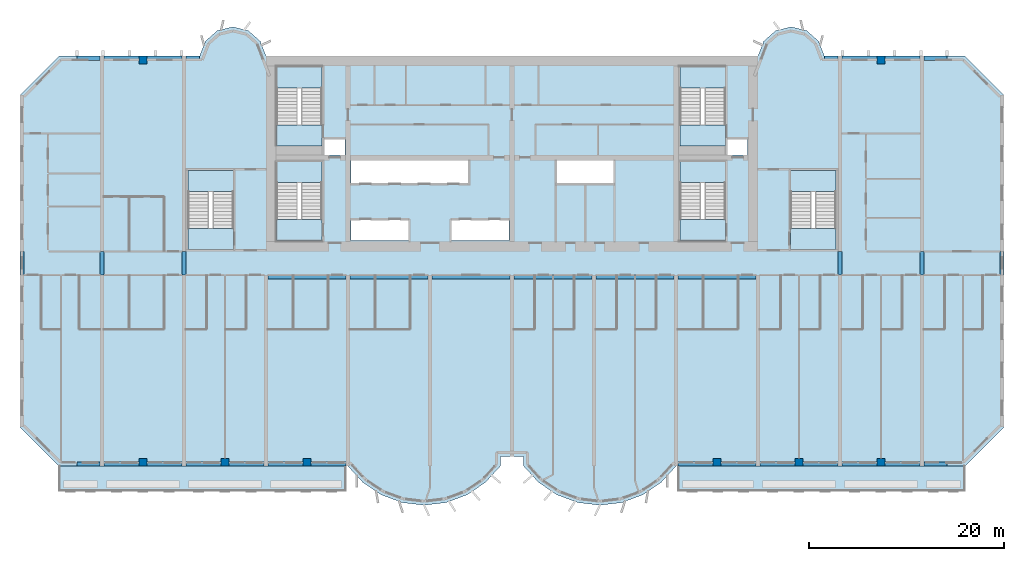
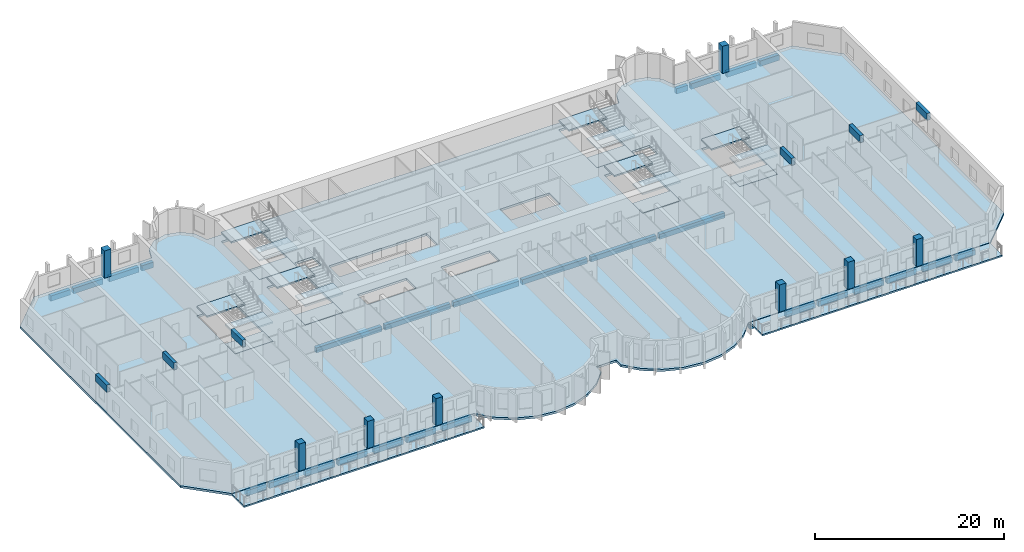
# One storey, part 1 of 14: 34 beams, 21 slabs, 8 columns, 6 elements without a shape of their own.
"""IFC4 building model written with IfcOpenShell, lengths in metres."""

from ifc_helpers import new_model, si_unit, direction, frame, origin, origin_2d, place, context, subcontext, project, spatial, polyline, rectangle, outline, extrude, source, transform, mapped, material, layer, layer_set, material_profile, profile_set, type_object, element, aggregate, save


model = new_model("IFC4")

# Units and contexts
model_context = context("Model", 3, precision=1e-05, world=origin(), true_north=direction((0.0, 1.0)))
body_context = subcontext(model_context, "Body", "Model", "MODEL_VIEW")
ifc_project = project(units=[si_unit("LENGTHUNIT", "METRE"), si_unit("AREAUNIT", "SQUARE_METRE"), si_unit("VOLUMEUNIT", "CUBIC_METRE"), si_unit("PLANEANGLEUNIT", "RADIAN"), si_unit("MASSUNIT", "GRAM", prefix="KILO")], contexts=[model_context])

# Site, building, storey
site_placement = place(None, origin())
site = spatial("IfcSite", under=ifc_project, at=site_placement, CompositionType="ELEMENT")
building_placement = place(site_placement, origin())
building = spatial("IfcBuilding", under=site, at=building_placement, Name="Vanashikhar Sky Hotel", CompositionType="ELEMENT")
storey_placement = place(building_placement, frame((0.0, 0.0, 50.60009765625)))
storey = spatial("IfcBuildingStorey", under=building, at=storey_placement, Name="L11", CompositionType="ELEMENT", Elevation=50.60009765625)

# Columns
ifc_material_1 = material(Name="Concrete M70", Category="concrete")
ifc_material_profile_1 = material_profile(ifc_material_1, rectangle(XDim=0.800048828125, YDim=0.800048828125, at=origin_2d()))
ifc_profile_set_1 = profile_set([ifc_material_profile_1], Name="RC 800x800 column Concrete M70")
column_type = type_object("IfcColumnType", Name="RC 800x800 column Concrete M70", PredefinedType="COLUMN", material=ifc_profile_set_1)
shared_shape_1 = source(origin(), body_context, "Body", "SweptSolid", [
    extrude(rectangle(XDim=0.800048828125, YDim=0.800048828125, at=origin_2d()), origin(), (0.0, 0.0, 1.0), 3.52001953125),
])
for number, where, z_axis, x_axis, name in (
    (1, (12.60009765625, 0.39990234375, 0.0), (0.0, 0.0, 1.0), (1.0, 0.0, 0.0), "CL-L11-CF02"),
    (2, (21.0, 0.39990234375, 0.0), (0.0, 0.0, 1.0), (1.0, 0.0, 0.0), "CL-L11-CF03"),
    (3, (29.39990234375, 0.39990234375, 0.0), (0.0, 0.0, 1.0), (1.0, 0.0, 0.0), "CL-L11-CF04"),
    (4, (71.39990234375, 0.39990234375, 0.0), (0.0, 0.0, 1.0), (1.0, 0.0, 0.0), "CL-L11-CF09"),
    (5, (79.800048828125, 0.39990234375, 0.0), (0.0, 0.0, 1.0), (1.0, 0.0, 0.0), "CL-L11-CF10"),
    (6, (88.199951171875, 0.39990234375, 0.0), (0.0, 0.0, 1.0), (1.0, 0.0, 0.0), "CL-L11-CF11"),
    (7, (12.60009765625, 41.60009765625, 0.0), (0.0, 0.0, 1.0), (1.0, 0.0, 0.0), "CL-L11-CR02"),
    (8, (88.199951171875, 41.60009765625, 0.0), (0.0, 0.0, 1.0), (1.0, 0.0, 0.0), "CL-L11-CR11"),
):
    element("IfcColumn", number, at=place(storey_placement, frame(where, z_axis=z_axis, x_axis=x_axis)), inside=storey, type_object=column_type, Name=name, PredefinedType="COLUMN", context=body_context, shape_type="MappedRepresentation", body=[
        mapped(shared_shape_1, transform((0.0, 0.0, 0.0), scale=1.0)),
    ])

# Beams
ifc_material_2 = material(Name="Concrete M50", Category="concrete")
ifc_material_profile_2 = material_profile(ifc_material_2, rectangle(XDim=0.39990234375, YDim=0.89990234375, at=origin_2d()))
ifc_profile_set_2 = profile_set([ifc_material_profile_2], Name="RC 400x900 beam Concrete M50")
beam_type_1 = type_object("IfcBeamType", Name="RC 400x900 beam Concrete M50", PredefinedType="LINTEL", material=ifc_profile_set_2)
shared_shape_2 = source(origin(), body_context, "Body", "SweptSolid", [
    extrude(rectangle(XDim=0.39990234375, YDim=0.89990234375, at=origin_2d()), origin(), (0.0, 0.0, 1.0), 2.39990234375),
])
for number, where, z_axis, x_axis, name in (
    (9, (0.199951171875, 19.60009765625, 3.06982421875), (0.0, 1.0, 0.0), (-1.0, 0.0, 0.0), "LB-L11-XW01"),
    (10, (8.39990234375, 19.60009765625, 3.06982421875), (0.0, 1.0, 0.0), (-1.0, 0.0, 0.0), "LB-L11-XW02"),
    (11, (16.800048828125, 19.60009765625, 3.06982421875), (0.0, 1.0, 0.0), (-1.0, 0.0, 0.0), "LB-L11-XW03"),
    (12, (84.0, 19.60009765625, 3.06982421875), (0.0, 1.0, 0.0), (-1.0, 0.0, 0.0), "LB-L11-XW11"),
    (13, (92.39990234375, 19.60009765625, 3.06982421875), (0.0, 1.0, 0.0), (-1.0, 0.0, 0.0), "LB-L11-XW12"),
    (14, (100.60009765625, 19.60009765625, 3.06982421875), (0.0, 1.0, 0.0), (-1.0, 0.0, 0.0), "LB-L11-XW13"),
):
    element("IfcBeam", number, at=place(storey_placement, frame(where, z_axis=z_axis, x_axis=x_axis)), inside=storey, type_object=beam_type_1, Name=name, PredefinedType="LINTEL", context=body_context, shape_type="MappedRepresentation", body=[
        mapped(shared_shape_2, transform((0.0, 0.0, 0.0), scale=1.0)),
    ])
ifc_material_profile_3 = material_profile(ifc_material_2, rectangle(XDim=0.449951171875, YDim=0.699951171875, at=origin_2d()))
ifc_profile_set_3 = profile_set([ifc_material_profile_3], Name="RC 450x700 beam Concrete M50")
beam_type_2 = type_object("IfcBeamType", Name="RC 450x700 beam Concrete M50", PredefinedType="BEAM", material=ifc_profile_set_3)
shared_shape_3 = source(origin(), body_context, "Body", "SweptSolid", [
    extrude(rectangle(XDim=0.449951171875, YDim=0.699951171875, at=origin_2d()), origin(), (0.0, 0.0, 1.0), 3.599853515625),
])
for number, where, z_axis, x_axis, name in (
    (15, (8.60009765625, 0.22509765625, -0.630126953125), (1.0, 0.0, 0.0), (0.0, 1.0, 0.0), "EB-L11-F01"),
    (16, (29.800048828125, 0.22509765625, -0.630126953125), (1.0, 0.0, 0.0), (0.0, 1.0, 0.0), "EB-L11-F06"),
    (17, (71.800048828125, 0.22509765625, -0.630126953125), (1.0, 0.0, 0.0), (0.0, 1.0, 0.0), "EB-L11-F09"),
    (18, (75.800048828125, 0.22509765625, -0.630126953125), (1.0, 0.0, 0.0), (0.0, 1.0, 0.0), "EB-L11-F10"),
    (19, (88.60009765625, 0.22509765625, -0.630126953125), (1.0, 0.0, 0.0), (0.0, 1.0, 0.0), "EB-L11-F13"),
    (20, (8.60009765625, 41.77490234375, -0.630126953125), (1.0, 0.0, 0.0), (0.0, 1.0, 0.0), "EB-L11-R01"),
    (21, (88.60009765625, 41.77490234375, -0.630126953125), (1.0, 0.0, 0.0), (0.0, 1.0, 0.0), "EB-L11-R06"),
):
    element("IfcBeam", number, at=place(storey_placement, frame(where, z_axis=z_axis, x_axis=x_axis)), inside=storey, type_object=beam_type_2, Name=name, PredefinedType="BEAM", context=body_context, shape_type="MappedRepresentation", body=[
        mapped(shared_shape_3, transform((0.0, 0.0, 0.0), scale=1.0)),
    ])
shared_shape_4 = source(origin(), body_context, "Body", "SweptSolid", [
    extrude(rectangle(XDim=0.449951171875, YDim=0.699951171875, at=origin_2d()), origin(), (0.0, 0.0, 1.0), 3.60009765625),
])
for number, where, z_axis, x_axis, name in (
    (22, (13.0, 0.22509765625, -0.630126953125), (1.0, 0.0, 0.0), (0.0, 1.0, 0.0), "EB-L11-F02"),
    (23, (17.0, 0.22509765625, -0.630126953125), (1.0, 0.0, 0.0), (0.0, 1.0, 0.0), "EB-L11-F03"),
    (24, (21.39990234375, 0.22509765625, -0.630126953125), (1.0, 0.0, 0.0), (0.0, 1.0, 0.0), "EB-L11-F04"),
    (25, (25.39990234375, 0.22509765625, -0.630126953125), (1.0, 0.0, 0.0), (0.0, 1.0, 0.0), "EB-L11-F05"),
    (26, (67.39990234375, 0.22509765625, -0.630126953125), (1.0, 0.0, 0.0), (0.0, 1.0, 0.0), "EB-L11-F08"),
    (27, (80.199951171875, 0.22509765625, -0.630126953125), (1.0, 0.0, 0.0), (0.0, 1.0, 0.0), "EB-L11-F11"),
    (28, (84.199951171875, 0.22509765625, -0.630126953125), (1.0, 0.0, 0.0), (0.0, 1.0, 0.0), "EB-L11-F12"),
    (29, (13.0, 41.77490234375, -0.630126953125), (1.0, 0.0, 0.0), (0.0, 1.0, 0.0), "EB-L11-R02"),
    (30, (84.199951171875, 41.77490234375, -0.630126953125), (1.0, 0.0, 0.0), (0.0, 1.0, 0.0), "EB-L11-R05"),
):
    element("IfcBeam", number, at=place(storey_placement, frame(where, z_axis=z_axis, x_axis=x_axis)), inside=storey, type_object=beam_type_2, Name=name, PredefinedType="BEAM", context=body_context, shape_type="MappedRepresentation", body=[
        mapped(shared_shape_4, transform((0.0, 0.0, 0.0), scale=1.0)),
    ])
ifc_material_profile_4 = material_profile(ifc_material_2, rectangle(XDim=0.449951171875, YDim=0.699951171875, at=origin_2d()))
ifc_profile_set_4 = profile_set([ifc_material_profile_4], Name="RC 450x700 cantilever beam Concrete M50")
beam_type_3 = type_object("IfcBeamType", Name="RC 450x700 cantilever beam Concrete M50", PredefinedType="SPANDREL", material=ifc_profile_set_4)
shared_shape_5 = source(origin(), body_context, "Body", "SweptSolid", [
    extrude(rectangle(XDim=0.449951171875, YDim=0.699951171875, at=origin_2d()), origin(), (0.0, 0.0, 1.0), 2.3798828125),
])
for number, where, z_axis, x_axis, name in (
    (31, (5.820068359375, 0.22509765625, -0.630126953125), (1.0, 0.0, 0.0), (0.0, 1.0, 0.0), "EB-L11-F07"),
    (32, (92.60009765625, 0.22509765625, -0.630126953125), (1.0, 0.0, 0.0), (0.0, 1.0, 0.0), "EB-L11-F14"),
    (33, (5.820068359375, 41.77490234375, -0.630126953125), (1.0, 0.0, 0.0), (0.0, 1.0, 0.0), "EB-L11-R03"),
    (34, (92.60009765625, 41.77490234375, -0.630126953125), (1.0, 0.0, 0.0), (0.0, 1.0, 0.0), "EB-L11-R08"),
):
    element("IfcBeam", number, at=place(storey_placement, frame(where, z_axis=z_axis, x_axis=x_axis)), inside=storey, type_object=beam_type_3, Name=name, PredefinedType="SPANDREL", context=body_context, shape_type="MappedRepresentation", body=[
        mapped(shared_shape_5, transform((0.0, 0.0, 0.0), scale=1.0)),
    ])
shared_shape_6 = source(origin(), body_context, "Body", "SweptSolid", [
    extrude(rectangle(XDim=0.449951171875, YDim=0.699951171875, at=origin_2d()), origin(), (0.0, 0.0, 1.0), 1.39990234375),
])
beam_1_placement = place(storey_placement, frame((17.0, 41.77490234375, -0.630126953125), z_axis=(1.0, 0.0, 0.0), x_axis=(0.0, 1.0, 0.0)))
element("IfcBeam", 35, at=beam_1_placement, inside=storey, type_object=beam_type_3, Name="EB-L11-R04", PredefinedType="SPANDREL", context=body_context, shape_type="MappedRepresentation", body=[
    mapped(shared_shape_6, transform((0.0, 0.0, 0.0), scale=1.0)),
])
shared_shape_7 = source(origin(), body_context, "Body", "SweptSolid", [
    extrude(rectangle(XDim=0.449951171875, YDim=0.699951171875, at=origin_2d()), origin(), (0.0, 0.0, 1.0), 1.400146484375),
])
beam_2_placement = place(storey_placement, frame((82.39990234375, 41.77490234375, -0.630126953125), z_axis=(1.0, 0.0, 0.0), x_axis=(0.0, 1.0, 0.0)))
element("IfcBeam", 36, at=beam_2_placement, inside=storey, type_object=beam_type_3, Name="EB-L11-R07", PredefinedType="SPANDREL", context=body_context, shape_type="MappedRepresentation", body=[
    mapped(shared_shape_7, transform((0.0, 0.0, 0.0), scale=1.0)),
])
ifc_material_profile_5 = material_profile(ifc_material_2, rectangle(XDim=0.449951171875, YDim=0.64990234375, at=origin_2d()))
ifc_profile_set_5 = profile_set([ifc_material_profile_5], Name="RC 450x650 beam Concrete M50")
beam_type_4 = type_object("IfcBeamType", Name="RC 450x650 beam Concrete M50", PredefinedType="BEAM", material=ifc_profile_set_5)
shared_shape_8 = source(origin(), body_context, "Body", "SweptSolid", [
    extrude(rectangle(XDim=0.449951171875, YDim=0.64990234375, at=origin_2d()), origin(), (0.0, 0.0, 1.0), 8.0),
])
for number, where, z_axis, x_axis, name in (
    (37, (25.39990234375, 19.375, -0.60498046875), (1.0, 0.0, 0.0), (0.0, 1.0, 0.0), "CB-L11-01"),
    (38, (33.800048828125, 19.375, -0.60498046875), (1.0, 0.0, 0.0), (0.0, 1.0, 0.0), "CB-L11-02"),
    (39, (42.199951171875, 19.375, -0.60498046875), (1.0, 0.0, 0.0), (0.0, 1.0, 0.0), "CB-L11-03"),
    (40, (50.60009765625, 19.375, -0.60498046875), (1.0, 0.0, 0.0), (0.0, 1.0, 0.0), "CB-L11-04"),
    (41, (59.0, 19.375, -0.60498046875), (1.0, 0.0, 0.0), (0.0, 1.0, 0.0), "CB-L11-05"),
    (42, (67.39990234375, 19.375, -0.60498046875), (1.0, 0.0, 0.0), (0.0, 1.0, 0.0), "CB-L11-06"),
):
    element("IfcBeam", number, at=place(storey_placement, frame(where, z_axis=z_axis, x_axis=x_axis)), inside=storey, type_object=beam_type_4, Name=name, PredefinedType="BEAM", context=body_context, shape_type="MappedRepresentation", body=[
        mapped(shared_shape_8, transform((0.0, 0.0, 0.0), scale=1.0)),
    ])

# Slabs
ifc_material_3 = material(Name="Concrete M40", Category="concrete")
ifc_layer_1 = layer(ifc_material_3, 0.280029296875)
ifc_layer_set_1 = layer_set([ifc_layer_1], Name="Floor slab 280 mm")
slab_type_1 = type_object("IfcSlabType", Name="Floor slab 280 mm", PredefinedType="FLOOR", material=ifc_layer_set_1)
shared_shape_9 = source(origin(), body_context, "Body", "SweptSolid", [
    extrude(outline(polyline([(49.199951171875, 0.0), (49.199951171875, 1.0), (51.60009765625, 1.0), (51.60009765625, 0.0), (53.133056640625, -1.674072265625), (55.01708984375, -2.94189453125), (57.14599609375, -3.73193359375), (59.39990234375, -4.0), (61.654052734375, -3.73193359375), (63.782958984375, -2.94189453125), (65.6669921875, -1.674072265625), (67.199951171875, 0.0), (96.800048828125, 0.0), (100.800048828125, 4.0), (100.800048828125, 38.0), (96.800048828125, 42.0), (82.39990234375, 42.0), (81.81494140625, 43.527099609375), (80.587890625, 44.610107421875), (79.0, 45.0), (77.412109375, 44.610107421875), (76.18505859375, 43.527099609375), (75.60009765625, 42.0), (25.199951171875, 42.0), (24.614990234375, 43.527099609375), (23.387939453125, 44.610107421875), (21.800048828125, 45.0), (20.2119140625, 44.610107421875), (18.985107421875, 43.527099609375), (18.39990234375, 42.0), (4.0, 42.0), (0.0, 38.0), (0.0, 4.0), (4.0, 0.0), (33.60009765625, 0.0), (35.133056640625, -1.674072265625), (37.01708984375, -2.94189453125), (39.14599609375, -3.73193359375), (41.39990234375, -4.0), (43.654052734375, -3.73193359375), (45.782958984375, -2.94189453125), (47.6669921875, -1.674072265625), (49.199951171875, 0.0)]), holes=[polyline([(33.300048828125, 33.60009765625), (31.050048828125, 33.60009765625), (31.050048828125, 31.89990234375), (33.300048828125, 31.89990234375), (33.300048828125, 33.60009765625)]), polyline([(33.89990234375, 25.199951171875), (33.89990234375, 23.10009765625), (39.89990234375, 23.10009765625), (39.89990234375, 25.199951171875), (33.89990234375, 25.199951171875)]), polyline([(33.89990234375, 31.300048828125), (33.89990234375, 29.0), (45.89990234375, 29.0), (45.89990234375, 31.300048828125), (33.89990234375, 31.300048828125)]), polyline([(44.10009765625, 25.199951171875), (44.10009765625, 23.10009765625), (50.10009765625, 23.10009765625), (50.10009765625, 25.199951171875), (44.10009765625, 25.199951171875)]), polyline([(54.89990234375, 31.300048828125), (54.89990234375, 29.0), (60.89990234375, 29.0), (60.89990234375, 31.300048828125), (54.89990234375, 31.300048828125)]), polyline([(74.5, 33.60009765625), (72.35009765625, 33.60009765625), (72.35009765625, 31.89990234375), (74.5, 31.89990234375), (74.5, 33.60009765625)]), polyline([(30.949951171875, 23.10009765625), (30.949951171875, 31.199951171875), (26.300048828125, 31.199951171875), (26.300048828125, 23.10009765625), (30.949951171875, 23.10009765625)]), polyline([(72.25, 23.10009765625), (72.25, 31.199951171875), (67.60009765625, 31.199951171875), (67.60009765625, 23.10009765625), (72.25, 23.10009765625)]), polyline([(30.949951171875, 32.800048828125), (30.949951171875, 40.89990234375), (26.300048828125, 40.89990234375), (26.300048828125, 32.800048828125), (30.949951171875, 32.800048828125)]), polyline([(72.25, 32.800048828125), (72.25, 40.89990234375), (67.60009765625, 40.89990234375), (67.60009765625, 32.800048828125), (72.25, 32.800048828125)]), polyline([(83.60009765625, 22.199951171875), (83.60009765625, 30.300048828125), (78.949951171875, 30.300048828125), (78.949951171875, 22.199951171875), (83.60009765625, 22.199951171875)]), polyline([(21.85009765625, 22.199951171875), (21.85009765625, 30.300048828125), (17.199951171875, 30.300048828125), (17.199951171875, 22.199951171875), (21.85009765625, 22.199951171875)])]), origin(), (0.0, 0.0, 1.0), 0.280029296875),
])
slab_1_placement = place(storey_placement, frame((0.0, 0.0, -0.280029296875)))
element("IfcSlab", 43, at=slab_1_placement, inside=storey, type_object=slab_type_1, Name="Floor slab L11", PredefinedType="FLOOR", context=body_context, shape_type="MappedRepresentation", body=[
    mapped(shared_shape_9, transform((0.0, 0.0, 0.0), scale=1.0)),
])
ifc_layer_2 = layer(ifc_material_3, 0.199951171875)
ifc_layer_set_2 = layer_set([ifc_layer_2], Name="Balcony slab 200 mm")
slab_type_2 = type_object("IfcSlabType", Name="Balcony slab 200 mm", PredefinedType="USERDEFINED", material=ifc_layer_set_2)
shared_shape_10 = source(origin(), body_context, "Body", "SweptSolid", [
    extrude(outline(polyline([(4.0, -2.60009765625), (33.39990234375, -2.60009765625), (33.39990234375, 0.0), (4.0, 0.0), (4.0, -2.60009765625)])), origin(), (0.0, 0.0, 1.0), 0.199951171875),
])
slab_2_placement = place(storey_placement, frame((0.0, 0.0, -0.25)))
element("IfcSlab", 44, at=slab_2_placement, inside=storey, type_object=slab_type_2, Name="Balcony slab L11 1", ObjectType="BALCONY", PredefinedType="USERDEFINED", context=body_context, shape_type="MappedRepresentation", body=[
    mapped(shared_shape_10, transform((0.0, 0.0, 0.0), scale=1.0)),
])
shared_shape_11 = source(origin(), body_context, "Body", "SweptSolid", [
    extrude(outline(polyline([(67.39990234375, -2.60009765625), (96.800048828125, -2.60009765625), (96.800048828125, 0.0), (67.39990234375, 0.0), (67.39990234375, -2.60009765625)])), origin(), (0.0, 0.0, 1.0), 0.199951171875),
])
slab_3_placement = place(storey_placement, frame((0.0, 0.0, -0.25)))
element("IfcSlab", 45, at=slab_3_placement, inside=storey, type_object=slab_type_2, Name="Balcony slab L11 2", ObjectType="BALCONY", PredefinedType="USERDEFINED", context=body_context, shape_type="MappedRepresentation", body=[
    mapped(shared_shape_11, transform((0.0, 0.0, 0.0), scale=1.0)),
])

# Stair, slabs
stair_type = type_object("IfcStairType", Name="Exit stair 2150", PredefinedType="DOUBLE_RETURN_STAIR", material=ifc_material_3)
stair_1_placement = place(storey_placement, origin())
stair_1 = element("IfcStair", 46, at=stair_1_placement, inside=storey, type_object=stair_type, Name="L11 Exit stair 1", PredefinedType="DOUBLE_RETURN_STAIR")
ifc_layer_3 = layer(ifc_material_3, 0.199951171875)
ifc_layer_set_3 = layer_set([ifc_layer_3], Name="Stair landing 200")
slab_type_3 = type_object("IfcSlabType", Name="Stair landing 200", PredefinedType="LANDING", material=ifc_layer_set_3)
shared_shape_12 = source(origin(), body_context, "Body", "SweptSolid", [
    extrude(outline(polyline([(30.949951171875, 29.050048828125), (30.949951171875, 31.199951171875), (26.300048828125, 31.199951171875), (26.300048828125, 29.050048828125), (30.949951171875, 29.050048828125)])), origin(), (0.0, 0.0, 1.0), 0.199951171875),
])
slab_4_placement = place(storey_placement, frame((0.0, 0.0, 1.066650390625)))
slab_4 = element("IfcSlab", 47, at=slab_4_placement, type_object=slab_type_3, Name="ST-C1 landing 1", PredefinedType="LANDING", context=body_context, shape_type="MappedRepresentation", body=[
    mapped(shared_shape_12, transform((0.0, 0.0, 0.0), scale=1.0)),
])
shared_shape_13 = source(origin(), body_context, "Body", "SweptSolid", [
    extrude(outline(polyline([(30.949951171875, 23.10009765625), (30.949951171875, 25.25), (26.300048828125, 25.25), (26.300048828125, 23.10009765625), (30.949951171875, 23.10009765625)])), origin(), (0.0, 0.0, 1.0), 0.199951171875),
])
slab_5_placement = place(storey_placement, frame((0.0, 0.0, 2.333251953125)))
slab_5 = element("IfcSlab", 48, at=slab_5_placement, type_object=slab_type_3, Name="ST-C1 landing 2", PredefinedType="LANDING", context=body_context, shape_type="MappedRepresentation", body=[
    mapped(shared_shape_13, transform((0.0, 0.0, 0.0), scale=1.0)),
])
aggregate(stair_1, [slab_4, slab_5])

# Slab
ifc_layer_4 = layer(ifc_material_3, 0.280029296875)
ifc_layer_set_4 = layer_set([ifc_layer_4], Name="Stair floor landing 280")
slab_type_4 = type_object("IfcSlabType", Name="Stair floor landing 280", PredefinedType="LANDING", material=ifc_layer_set_4)
shared_shape_14 = source(origin(), body_context, "Body", "SweptSolid", [
    extrude(outline(polyline([(30.949951171875, 23.10009765625), (30.949951171875, 25.25), (26.300048828125, 25.25), (26.300048828125, 23.10009765625), (30.949951171875, 23.10009765625)])), origin(), (0.0, 0.0, 1.0), 0.280029296875),
])
slab_6_placement = place(storey_placement, frame((0.0, 0.0, -0.280029296875)))
element("IfcSlab", 49, at=slab_6_placement, inside=storey, type_object=slab_type_4, Name="Exit stair 1 floor landing", PredefinedType="LANDING", context=body_context, shape_type="MappedRepresentation", body=[
    mapped(shared_shape_14, transform((0.0, 0.0, 0.0), scale=1.0)),
])

# Stair, slabs
stair_2_placement = place(storey_placement, origin())
stair_2 = element("IfcStair", 50, at=stair_2_placement, inside=storey, type_object=stair_type, Name="L11 Exit stair 2", PredefinedType="DOUBLE_RETURN_STAIR")
shared_shape_15 = source(origin(), body_context, "Body", "SweptSolid", [
    extrude(outline(polyline([(72.25, 29.050048828125), (72.25, 31.199951171875), (67.60009765625, 31.199951171875), (67.60009765625, 29.050048828125), (72.25, 29.050048828125)])), origin(), (0.0, 0.0, 1.0), 0.199951171875),
])
slab_7_placement = place(storey_placement, frame((0.0, 0.0, 1.066650390625)))
slab_7 = element("IfcSlab", 51, at=slab_7_placement, type_object=slab_type_3, Name="ST-C2 landing 1", PredefinedType="LANDING", context=body_context, shape_type="MappedRepresentation", body=[
    mapped(shared_shape_15, transform((0.0, 0.0, 0.0), scale=1.0)),
])
shared_shape_16 = source(origin(), body_context, "Body", "SweptSolid", [
    extrude(outline(polyline([(72.25, 23.10009765625), (72.25, 25.25), (67.60009765625, 25.25), (67.60009765625, 23.10009765625), (72.25, 23.10009765625)])), origin(), (0.0, 0.0, 1.0), 0.199951171875),
])
slab_8_placement = place(storey_placement, frame((0.0, 0.0, 2.333251953125)))
slab_8 = element("IfcSlab", 52, at=slab_8_placement, type_object=slab_type_3, Name="ST-C2 landing 2", PredefinedType="LANDING", context=body_context, shape_type="MappedRepresentation", body=[
    mapped(shared_shape_16, transform((0.0, 0.0, 0.0), scale=1.0)),
])
aggregate(stair_2, [slab_7, slab_8])

# Slab
shared_shape_17 = source(origin(), body_context, "Body", "SweptSolid", [
    extrude(outline(polyline([(72.25, 23.10009765625), (72.25, 25.25), (67.60009765625, 25.25), (67.60009765625, 23.10009765625), (72.25, 23.10009765625)])), origin(), (0.0, 0.0, 1.0), 0.280029296875),
])
slab_9_placement = place(storey_placement, frame((0.0, 0.0, -0.280029296875)))
element("IfcSlab", 53, at=slab_9_placement, inside=storey, type_object=slab_type_4, Name="Exit stair 2 floor landing", PredefinedType="LANDING", context=body_context, shape_type="MappedRepresentation", body=[
    mapped(shared_shape_17, transform((0.0, 0.0, 0.0), scale=1.0)),
])

# Stair, slabs
stair_3_placement = place(storey_placement, origin())
stair_3 = element("IfcStair", 54, at=stair_3_placement, inside=storey, type_object=stair_type, Name="L11 Exit stair 3", PredefinedType="DOUBLE_RETURN_STAIR")
shared_shape_18 = source(origin(), body_context, "Body", "SweptSolid", [
    extrude(outline(polyline([(21.85009765625, 28.14990234375), (21.85009765625, 30.300048828125), (17.199951171875, 30.300048828125), (17.199951171875, 28.14990234375), (21.85009765625, 28.14990234375)])), origin(), (0.0, 0.0, 1.0), 0.199951171875),
])
slab_10_placement = place(storey_placement, frame((0.0, 0.0, 1.066650390625)))
slab_10 = element("IfcSlab", 55, at=slab_10_placement, type_object=slab_type_3, Name="ST-W landing 1", PredefinedType="LANDING", context=body_context, shape_type="MappedRepresentation", body=[
    mapped(shared_shape_18, transform((0.0, 0.0, 0.0), scale=1.0)),
])
shared_shape_19 = source(origin(), body_context, "Body", "SweptSolid", [
    extrude(outline(polyline([(21.85009765625, 22.199951171875), (21.85009765625, 24.35009765625), (17.199951171875, 24.35009765625), (17.199951171875, 22.199951171875), (21.85009765625, 22.199951171875)])), origin(), (0.0, 0.0, 1.0), 0.199951171875),
])
slab_11_placement = place(storey_placement, frame((0.0, 0.0, 2.333251953125)))
slab_11 = element("IfcSlab", 56, at=slab_11_placement, type_object=slab_type_3, Name="ST-W landing 2", PredefinedType="LANDING", context=body_context, shape_type="MappedRepresentation", body=[
    mapped(shared_shape_19, transform((0.0, 0.0, 0.0), scale=1.0)),
])
aggregate(stair_3, [slab_10, slab_11])

# Slab
shared_shape_20 = source(origin(), body_context, "Body", "SweptSolid", [
    extrude(outline(polyline([(21.85009765625, 22.199951171875), (21.85009765625, 24.35009765625), (17.199951171875, 24.35009765625), (17.199951171875, 22.199951171875), (21.85009765625, 22.199951171875)])), origin(), (0.0, 0.0, 1.0), 0.280029296875),
])
slab_12_placement = place(storey_placement, frame((0.0, 0.0, -0.280029296875)))
element("IfcSlab", 57, at=slab_12_placement, inside=storey, type_object=slab_type_4, Name="Exit stair 3 floor landing", PredefinedType="LANDING", context=body_context, shape_type="MappedRepresentation", body=[
    mapped(shared_shape_20, transform((0.0, 0.0, 0.0), scale=1.0)),
])

# Stair, slabs
stair_4_placement = place(storey_placement, origin())
stair_4 = element("IfcStair", 58, at=stair_4_placement, inside=storey, type_object=stair_type, Name="L11 Exit stair 4", PredefinedType="DOUBLE_RETURN_STAIR")
shared_shape_21 = source(origin(), body_context, "Body", "SweptSolid", [
    extrude(outline(polyline([(83.60009765625, 28.14990234375), (83.60009765625, 30.300048828125), (78.949951171875, 30.300048828125), (78.949951171875, 28.14990234375), (83.60009765625, 28.14990234375)])), origin(), (0.0, 0.0, 1.0), 0.199951171875),
])
slab_13_placement = place(storey_placement, frame((0.0, 0.0, 1.066650390625)))
slab_13 = element("IfcSlab", 59, at=slab_13_placement, type_object=slab_type_3, Name="ST-E landing 1", PredefinedType="LANDING", context=body_context, shape_type="MappedRepresentation", body=[
    mapped(shared_shape_21, transform((0.0, 0.0, 0.0), scale=1.0)),
])
shared_shape_22 = source(origin(), body_context, "Body", "SweptSolid", [
    extrude(outline(polyline([(83.60009765625, 22.199951171875), (83.60009765625, 24.35009765625), (78.949951171875, 24.35009765625), (78.949951171875, 22.199951171875), (83.60009765625, 22.199951171875)])), origin(), (0.0, 0.0, 1.0), 0.199951171875),
])
slab_14_placement = place(storey_placement, frame((0.0, 0.0, 2.333251953125)))
slab_14 = element("IfcSlab", 60, at=slab_14_placement, type_object=slab_type_3, Name="ST-E landing 2", PredefinedType="LANDING", context=body_context, shape_type="MappedRepresentation", body=[
    mapped(shared_shape_22, transform((0.0, 0.0, 0.0), scale=1.0)),
])
aggregate(stair_4, [slab_13, slab_14])

# Slab
shared_shape_23 = source(origin(), body_context, "Body", "SweptSolid", [
    extrude(outline(polyline([(83.60009765625, 22.199951171875), (83.60009765625, 24.35009765625), (78.949951171875, 24.35009765625), (78.949951171875, 22.199951171875), (83.60009765625, 22.199951171875)])), origin(), (0.0, 0.0, 1.0), 0.280029296875),
])
slab_15_placement = place(storey_placement, frame((0.0, 0.0, -0.280029296875)))
element("IfcSlab", 61, at=slab_15_placement, inside=storey, type_object=slab_type_4, Name="Exit stair 4 floor landing", PredefinedType="LANDING", context=body_context, shape_type="MappedRepresentation", body=[
    mapped(shared_shape_23, transform((0.0, 0.0, 0.0), scale=1.0)),
])

# Stair, slabs
stair_5_placement = place(storey_placement, origin())
stair_5 = element("IfcStair", 62, at=stair_5_placement, inside=storey, type_object=stair_type, Name="L11 Exit stair 5", PredefinedType="DOUBLE_RETURN_STAIR")
shared_shape_24 = source(origin(), body_context, "Body", "SweptSolid", [
    extrude(outline(polyline([(30.949951171875, 38.75), (30.949951171875, 40.89990234375), (26.300048828125, 40.89990234375), (26.300048828125, 38.75), (30.949951171875, 38.75)])), origin(), (0.0, 0.0, 1.0), 0.199951171875),
])
slab_16_placement = place(storey_placement, frame((0.0, 0.0, 1.066650390625)))
slab_16 = element("IfcSlab", 63, at=slab_16_placement, type_object=slab_type_3, Name="ST-C3 landing 1", PredefinedType="LANDING", context=body_context, shape_type="MappedRepresentation", body=[
    mapped(shared_shape_24, transform((0.0, 0.0, 0.0), scale=1.0)),
])
shared_shape_25 = source(origin(), body_context, "Body", "SweptSolid", [
    extrude(outline(polyline([(30.949951171875, 32.800048828125), (30.949951171875, 34.949951171875), (26.300048828125, 34.949951171875), (26.300048828125, 32.800048828125), (30.949951171875, 32.800048828125)])), origin(), (0.0, 0.0, 1.0), 0.199951171875),
])
slab_17_placement = place(storey_placement, frame((0.0, 0.0, 2.333251953125)))
slab_17 = element("IfcSlab", 64, at=slab_17_placement, type_object=slab_type_3, Name="ST-C3 landing 2", PredefinedType="LANDING", context=body_context, shape_type="MappedRepresentation", body=[
    mapped(shared_shape_25, transform((0.0, 0.0, 0.0), scale=1.0)),
])
aggregate(stair_5, [slab_16, slab_17])

# Slab
shared_shape_26 = source(origin(), body_context, "Body", "SweptSolid", [
    extrude(outline(polyline([(30.949951171875, 32.800048828125), (30.949951171875, 34.949951171875), (26.300048828125, 34.949951171875), (26.300048828125, 32.800048828125), (30.949951171875, 32.800048828125)])), origin(), (0.0, 0.0, 1.0), 0.280029296875),
])
slab_18_placement = place(storey_placement, frame((0.0, 0.0, -0.280029296875)))
element("IfcSlab", 65, at=slab_18_placement, inside=storey, type_object=slab_type_4, Name="Exit stair 5 floor landing", PredefinedType="LANDING", context=body_context, shape_type="MappedRepresentation", body=[
    mapped(shared_shape_26, transform((0.0, 0.0, 0.0), scale=1.0)),
])

# Stair, slabs
stair_6_placement = place(storey_placement, origin())
stair_6 = element("IfcStair", 66, at=stair_6_placement, inside=storey, type_object=stair_type, Name="L11 Exit stair 6", PredefinedType="DOUBLE_RETURN_STAIR")
shared_shape_27 = source(origin(), body_context, "Body", "SweptSolid", [
    extrude(outline(polyline([(72.25, 38.75), (72.25, 40.89990234375), (67.60009765625, 40.89990234375), (67.60009765625, 38.75), (72.25, 38.75)])), origin(), (0.0, 0.0, 1.0), 0.199951171875),
])
slab_19_placement = place(storey_placement, frame((0.0, 0.0, 1.066650390625)))
slab_19 = element("IfcSlab", 67, at=slab_19_placement, type_object=slab_type_3, Name="ST-C4 landing 1", PredefinedType="LANDING", context=body_context, shape_type="MappedRepresentation", body=[
    mapped(shared_shape_27, transform((0.0, 0.0, 0.0), scale=1.0)),
])
shared_shape_28 = source(origin(), body_context, "Body", "SweptSolid", [
    extrude(outline(polyline([(72.25, 32.800048828125), (72.25, 34.949951171875), (67.60009765625, 34.949951171875), (67.60009765625, 32.800048828125), (72.25, 32.800048828125)])), origin(), (0.0, 0.0, 1.0), 0.199951171875),
])
slab_20_placement = place(storey_placement, frame((0.0, 0.0, 2.333251953125)))
slab_20 = element("IfcSlab", 68, at=slab_20_placement, type_object=slab_type_3, Name="ST-C4 landing 2", PredefinedType="LANDING", context=body_context, shape_type="MappedRepresentation", body=[
    mapped(shared_shape_28, transform((0.0, 0.0, 0.0), scale=1.0)),
])
aggregate(stair_6, [slab_19, slab_20])

# Slab
shared_shape_29 = source(origin(), body_context, "Body", "SweptSolid", [
    extrude(outline(polyline([(72.25, 32.800048828125), (72.25, 34.949951171875), (67.60009765625, 34.949951171875), (67.60009765625, 32.800048828125), (72.25, 32.800048828125)])), origin(), (0.0, 0.0, 1.0), 0.280029296875),
])
slab_21_placement = place(storey_placement, frame((0.0, 0.0, -0.280029296875)))
element("IfcSlab", 69, at=slab_21_placement, inside=storey, type_object=slab_type_4, Name="Exit stair 6 floor landing", PredefinedType="LANDING", context=body_context, shape_type="MappedRepresentation", body=[
    mapped(shared_shape_29, transform((0.0, 0.0, 0.0), scale=1.0)),
])

save(model, "model.ifc")
